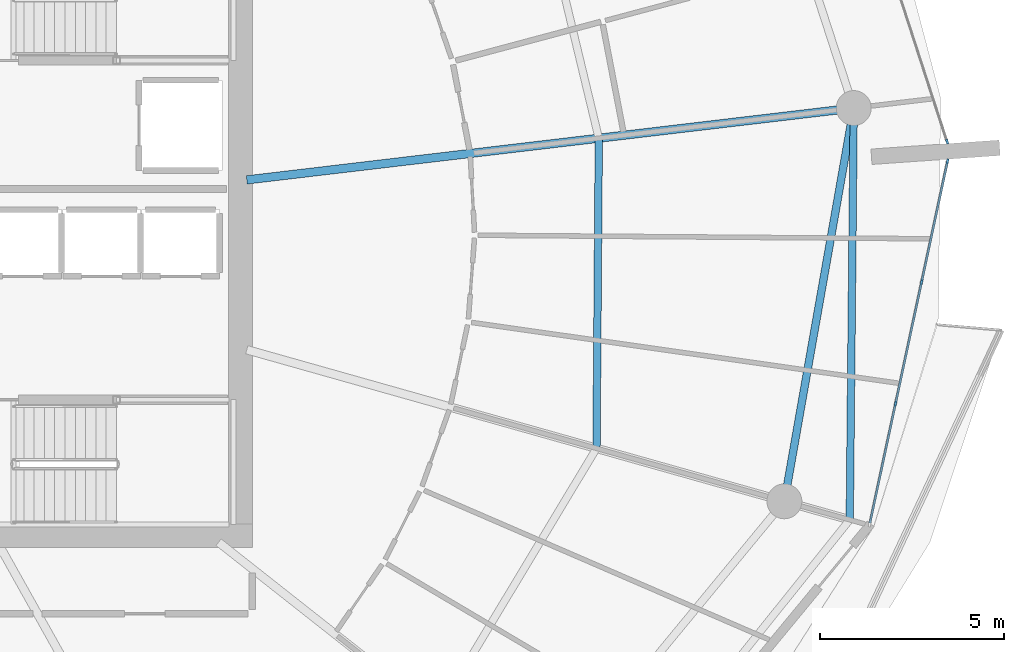
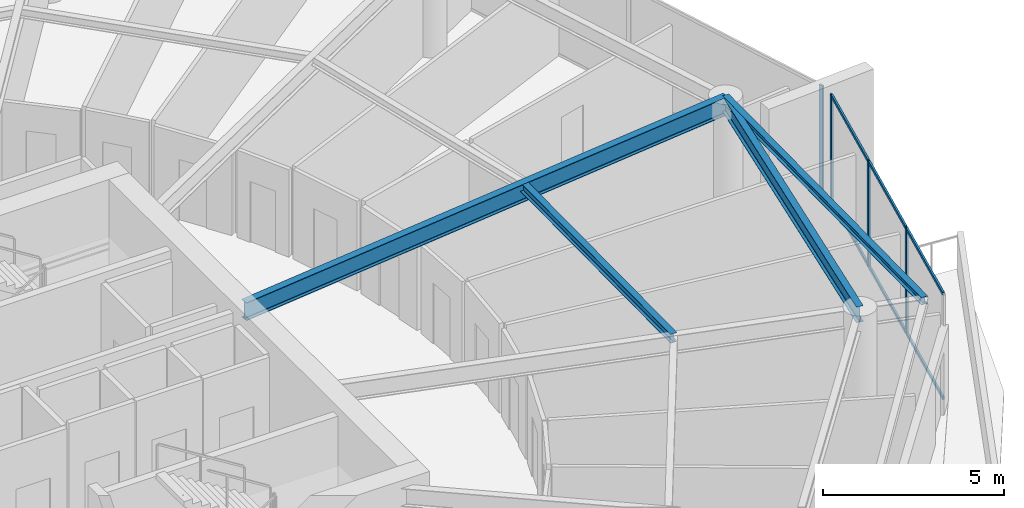
# One storey, part 11 of 30: 10 members, 4 beams, 2 elements without a shape of their own.
"""IFC4 building model written with IfcOpenShell, lengths in metres."""

from ifc_helpers import new_model, si_unit, direction, frame, origin, origin_2d, place, context, subcontext, project, spatial, rectangle, i_section, extrude, material, layer, layer_set, material_profile, profile_set, type_object, element, aggregate, save


model = new_model("IFC4")

# Units and contexts
model_context = context("Model", 3, precision=1e-05, world=origin(), true_north=direction((0.0, 1.0)))
body_context = subcontext(model_context, "Body", "Model", "MODEL_VIEW")
ifc_project = project(units=[si_unit("LENGTHUNIT", "METRE"), si_unit("AREAUNIT", "SQUARE_METRE"), si_unit("VOLUMEUNIT", "CUBIC_METRE"), si_unit("PLANEANGLEUNIT", "RADIAN"), si_unit("MASSUNIT", "GRAM", prefix="KILO")], contexts=[model_context])

# Site, building, storey
site_placement = place(None, origin())
site = spatial("IfcSite", under=ifc_project, at=site_placement, CompositionType="ELEMENT")
building_placement = place(site_placement, origin())
building = spatial("IfcBuilding", under=site, at=building_placement, Name="Kazma Halo Residences", CompositionType="ELEMENT")
storey_placement = place(building_placement, frame((0.0, 0.0, 263.64990234375)))
storey = spatial("IfcBuildingStorey", under=building, at=storey_placement, Name="L66", CompositionType="ELEMENT", Elevation=263.64990234375)

# Beams
ifc_material_1 = material(Name="Steel S355", Category="steel")
ifc_material_profile_1 = material_profile(ifc_material_1, i_section(OverallWidth=0.201904296875, OverallDepth=0.2470703125, WebThickness=0.00732421875, FlangeThickness=0.010986328125, FilletRadius=0.011962890625, at=origin_2d()), Name="W250x49.1")
ifc_profile_set_1 = profile_set([ifc_material_profile_1], Name="Steel S355")
beam_type_1 = type_object("IfcBeamType", Name="BM-BAL-CANT", PredefinedType="BEAM", material=ifc_profile_set_1)
beam_1_placement = place(storey_placement, frame((75.971435546875, 34.111083984375, 3.466552734375), z_axis=(0.009645503464, 0.999953481049, 0.0), x_axis=(-0.999953481049, 0.009645503464, 0.0)))
element("IfcBeam", 1, at=beam_1_placement, inside=storey, type_object=beam_type_1, Name="L66 wave-balcony tie beam 15", PredefinedType="BEAM", context=body_context, shape_type="SweptSolid", body=[
    extrude(i_section(OverallWidth=0.201904296875, OverallDepth=0.2470703125, WebThickness=0.00732421875, FlangeThickness=0.010986328125, FilletRadius=0.011962890625, at=origin_2d()), origin(), (0.0, 0.0, 1.0), 11.212890625),
])
ifc_material_profile_2 = material_profile(ifc_material_1, i_section(OverallWidth=0.22802734375, OverallDepth=0.60791015625, WebThickness=0.01123046875, FlangeThickness=0.017333984375, FilletRadius=0.01806640625, at=origin_2d()), Name="W610x113")
ifc_profile_set_2 = profile_set([ifc_material_profile_2], Name="Steel S355")
beam_type_2 = type_object("IfcBeamType", Name="BM-RAD-W610", PredefinedType="BEAM", material=ifc_profile_set_2)
beam_2_placement = place(storey_placement, frame((59.550048828125, 43.366943359375, 3.2861328125), z_axis=(0.993067455077, 0.117545861975, 0.0), x_axis=(-0.117545861975, 0.993067455077, 0.0)))
element("IfcBeam", 2, at=beam_2_placement, inside=storey, type_object=beam_type_2, Name="L66 radial floor beam 16", PredefinedType="BEAM", context=body_context, shape_type="SweptSolid", body=[
    extrude(i_section(OverallWidth=0.22802734375, OverallDepth=0.60791015625, WebThickness=0.01123046875, FlangeThickness=0.017333984375, FilletRadius=0.01806640625, at=origin_2d()), origin(), (0.0, 0.0, 1.0), 16.64501953125),
])
ifc_material_profile_3 = material_profile(ifc_material_1, i_section(OverallWidth=0.202880859375, OverallDepth=0.302978515625, WebThickness=0.007568359375, FlangeThickness=0.01318359375, FilletRadius=0.013916015625, at=origin_2d()), Name="W310x60")
ifc_profile_set_3 = profile_set([ifc_material_profile_3], Name="Steel S355")
beam_type_3 = type_object("IfcBeamType", Name="BM-SEC-W310A", PredefinedType="JOIST", material=ifc_profile_set_3)
beam_3_placement = place(storey_placement, frame((69.074462890625, 36.056396484375, 3.4384765625), z_axis=(0.007429258426, 0.999972402679, 0.0), x_axis=(-0.999972402679, 0.007429258426, 0.0)))
element("IfcBeam", 3, at=beam_3_placement, inside=storey, type_object=beam_type_3, Name="L66 circumferential floor joist 15", PredefinedType="JOIST", context=body_context, shape_type="SweptSolid", body=[
    extrude(i_section(OverallWidth=0.202880859375, OverallDepth=0.302978515625, WebThickness=0.007568359375, FlangeThickness=0.01318359375, FilletRadius=0.013916015625, at=origin_2d()), origin(), (0.0, 0.0, 1.0), 8.445556640625),
])
ifc_material_profile_4 = material_profile(ifc_material_1, i_section(OverallWidth=0.208984375, OverallDepth=0.532958984375, WebThickness=0.01025390625, FlangeThickness=0.015625, FilletRadius=0.01611328125, at=origin_2d()), Name="W530x92")
ifc_profile_set_4 = profile_set([ifc_material_profile_4], Name="Steel S355")
beam_type_4 = type_object("IfcBeamType", Name="BM-SPN-W530", PredefinedType="BEAM", material=ifc_profile_set_4)
beam_4_placement = place(storey_placement, frame((74.19091796875, 34.61328125, 3.323486328125), z_axis=(0.173663672311, 0.984805020763, 0.0), x_axis=(-0.984805020763, 0.173663672311, 0.0)))
element("IfcBeam", 4, at=beam_4_placement, inside=storey, type_object=beam_type_4, Name="L66 perimeter ring beam 15", PredefinedType="BEAM", context=body_context, shape_type="SweptSolid", body=[
    extrude(i_section(OverallWidth=0.208984375, OverallDepth=0.532958984375, WebThickness=0.01025390625, FlangeThickness=0.015625, FilletRadius=0.01611328125, at=origin_2d()), origin(), (0.0, 0.0, 1.0), 10.87548828125),
])

# Curtain wall, members
ifc_material_2 = material(Name="Aluminium AW-6063 T6 and Triple-Silver Low-E Glass", Category="aluminium")
ifc_layer = layer(ifc_material_2, 0.139892578125)
ifc_layer_set = layer_set([ifc_layer], Name="Aluminium AW-6063 T6 and Triple-Silver Low-E Glass")
curtain_wall_type = type_object("IfcCurtainWallType", Name="CW-SYS-5", PredefinedType="NOTDEFINED", material=ifc_layer_set)
curtain_wall_1_placement = place(storey_placement, origin())
curtain_wall_1 = element("IfcCurtainWall", 5, at=curtain_wall_1_placement, inside=storey, type_object=curtain_wall_type, Name="L66 unitised curtain wall B15", PredefinedType="NOTDEFINED")
ifc_material_3 = material(Name="Aluminium AW-6063 T6", Category="aluminium")
ifc_material_profile_5 = material_profile(ifc_material_3, rectangle(XDim=0.06005859375, YDim=0.139892578125, at=origin_2d()), Name="CWM-60x140")
ifc_profile_set_5 = profile_set([ifc_material_profile_5], Name="Aluminium AW-6063 T6")
member_type_1 = type_object("IfcMemberType", Name="CW-SYS-5-MUL", PredefinedType="MULLION", material=ifc_profile_set_5)
member_1_placement = place(storey_placement, frame((77.218994140625, 37.2734375, 0.0), z_axis=(0.0, 0.0, 1.0), x_axis=(-0.97777491373, 0.209657382603, 0.0)))
member_1 = element("IfcMember", 6, at=member_1_placement, type_object=member_type_1, Name="CWS-5 mullion 2", PredefinedType="MULLION", context=body_context, shape_type="SweptSolid", body=[
    extrude(rectangle(XDim=0.06005859375, YDim=0.139892578125, at=origin_2d()), origin(), (0.0, 0.0, 1.0), 3.590087890625),
])
member_2_placement = place(storey_placement, frame((77.9296875, 40.587158203125, 0.0), z_axis=(0.0, 0.0, 1.0), x_axis=(-0.97777491373, 0.209657382603, 0.0)))
member_2 = element("IfcMember", 7, at=member_2_placement, type_object=member_type_1, Name="CWS-5 mullion 3", PredefinedType="MULLION", context=body_context, shape_type="SweptSolid", body=[
    extrude(rectangle(XDim=0.06005859375, YDim=0.139892578125, at=origin_2d()), origin(), (0.0, 0.0, 1.0), 3.590087890625),
])
member_3_placement = place(storey_placement, frame((78.6337890625, 43.87158203125, 0.0), z_axis=(0.0, 0.0, 1.0), x_axis=(-0.97777491373, 0.209657382603, 0.0)))
member_3 = element("IfcMember", 8, at=member_3_placement, type_object=member_type_1, Name="CWS-5 mullion 4", PredefinedType="MULLION", context=body_context, shape_type="SweptSolid", body=[
    extrude(rectangle(XDim=0.06005859375, YDim=0.139892578125, at=origin_2d()), origin(), (0.0, 0.0, 1.0), 3.590087890625),
])

# Curtain wall, member
curtain_wall_2_placement = place(storey_placement, origin())
curtain_wall_2 = element("IfcCurtainWall", 9, at=curtain_wall_2_placement, inside=storey, type_object=curtain_wall_type, Name="L66 unitised curtain wall B16", PredefinedType="NOTDEFINED")
member_4_placement = place(storey_placement, frame((78.622802734375, 44.412353515625, 0.0), z_axis=(0.0, 0.0, 1.0), x_axis=(-0.951058464359, -0.309010998786, 0.0)))
member_4 = element("IfcMember", 10, at=member_4_placement, type_object=member_type_1, Name="CWS-5 mullion 1", PredefinedType="MULLION", context=body_context, shape_type="SweptSolid", body=[
    extrude(rectangle(XDim=0.06005859375, YDim=0.139892578125, at=origin_2d()), origin(), (0.0, 0.0, 1.0), 3.590087890625),
])
aggregate(curtain_wall_2, [member_4])

# Member
ifc_material_profile_6 = material_profile(ifc_material_3, rectangle(XDim=0.06005859375, YDim=0.10498046875, at=origin_2d()), Name="CWT-60x105")
ifc_profile_set_6 = profile_set([ifc_material_profile_6], Name="Aluminium AW-6063 T6")
member_type_2 = type_object("IfcMemberType", Name="CW-SYS-5-TRN", PredefinedType="USERDEFINED", material=ifc_profile_set_6)
member_5_placement = place(storey_placement, frame((76.52099609375, 34.0185546875, 0.030029296875), z_axis=(0.209660493552, 0.977774246666, 0.0), x_axis=(-0.977774246666, 0.209660493552, 0.0)))
member_5 = element("IfcMember", 11, at=member_5_placement, type_object=member_type_2, Name="CWS-5 transom 1.1", ObjectType="TRANSOM", PredefinedType="USERDEFINED", context=body_context, shape_type="SweptSolid", body=[
    extrude(rectangle(XDim=0.06005859375, YDim=0.10498046875, at=origin_2d()), origin(), (0.0, 0.0, 1.0), 3.298828125),
])

member_6_placement = place(storey_placement, frame((76.52099609375, 34.0185546875, 3.56005859375), z_axis=(0.209660493552, 0.977774246666, 0.0), x_axis=(-0.977774246666, 0.209660493552, 0.0)))
member_6 = element("IfcMember", 12, at=member_6_placement, type_object=member_type_2, Name="CWS-5 transom 1.2", ObjectType="TRANSOM", PredefinedType="USERDEFINED", context=body_context, shape_type="SweptSolid", body=[
    extrude(rectangle(XDim=0.06005859375, YDim=0.10498046875, at=origin_2d()), origin(), (0.0, 0.0, 1.0), 3.298828125),
])

member_7_placement = place(storey_placement, frame((77.225341796875, 37.302734375, 0.030029296875), z_axis=(0.209664309019, 0.977773428522, 0.0), x_axis=(-0.977773428522, 0.209664309019, 0.0)))
member_7 = element("IfcMember", 13, at=member_7_placement, type_object=member_type_2, Name="CWS-5 transom 2.1", ObjectType="TRANSOM", PredefinedType="USERDEFINED", context=body_context, shape_type="SweptSolid", body=[
    extrude(rectangle(XDim=0.06005859375, YDim=0.10498046875, at=origin_2d()), origin(), (0.0, 0.0, 1.0), 3.3291015625),
])

member_8_placement = place(storey_placement, frame((77.225341796875, 37.302734375, 3.56005859375), z_axis=(0.209664309019, 0.977773428522, 0.0), x_axis=(-0.977773428522, 0.209664309019, 0.0)))
member_8 = element("IfcMember", 14, at=member_8_placement, type_object=member_type_2, Name="CWS-5 transom 2.2", ObjectType="TRANSOM", PredefinedType="USERDEFINED", context=body_context, shape_type="SweptSolid", body=[
    extrude(rectangle(XDim=0.06005859375, YDim=0.10498046875, at=origin_2d()), origin(), (0.0, 0.0, 1.0), 3.3291015625),
])

member_9_placement = place(storey_placement, frame((77.935791015625, 40.616455078125, 0.030029296875), z_axis=(0.209645323239, 0.977777499457, 0.0), x_axis=(-0.977777499457, 0.209645323239, 0.0)))
member_9 = element("IfcMember", 15, at=member_9_placement, type_object=member_type_2, Name="CWS-5 transom 3.1", ObjectType="TRANSOM", PredefinedType="USERDEFINED", context=body_context, shape_type="SweptSolid", body=[
    extrude(rectangle(XDim=0.06005859375, YDim=0.10498046875, at=origin_2d()), origin(), (0.0, 0.0, 1.0), 3.299072265625),
])

member_10_placement = place(storey_placement, frame((77.935791015625, 40.616455078125, 3.56005859375), z_axis=(0.209645323239, 0.977777499457, 0.0), x_axis=(-0.977777499457, 0.209645323239, 0.0)))
member_10 = element("IfcMember", 16, at=member_10_placement, type_object=member_type_2, Name="CWS-5 transom 3.2", ObjectType="TRANSOM", PredefinedType="USERDEFINED", context=body_context, shape_type="SweptSolid", body=[
    extrude(rectangle(XDim=0.06005859375, YDim=0.10498046875, at=origin_2d()), origin(), (0.0, 0.0, 1.0), 3.299072265625),
])

aggregate(curtain_wall_1, [member_1, member_2, member_3, member_5, member_6, member_7, member_8, member_9, member_10])

save(model, "model.ifc")
